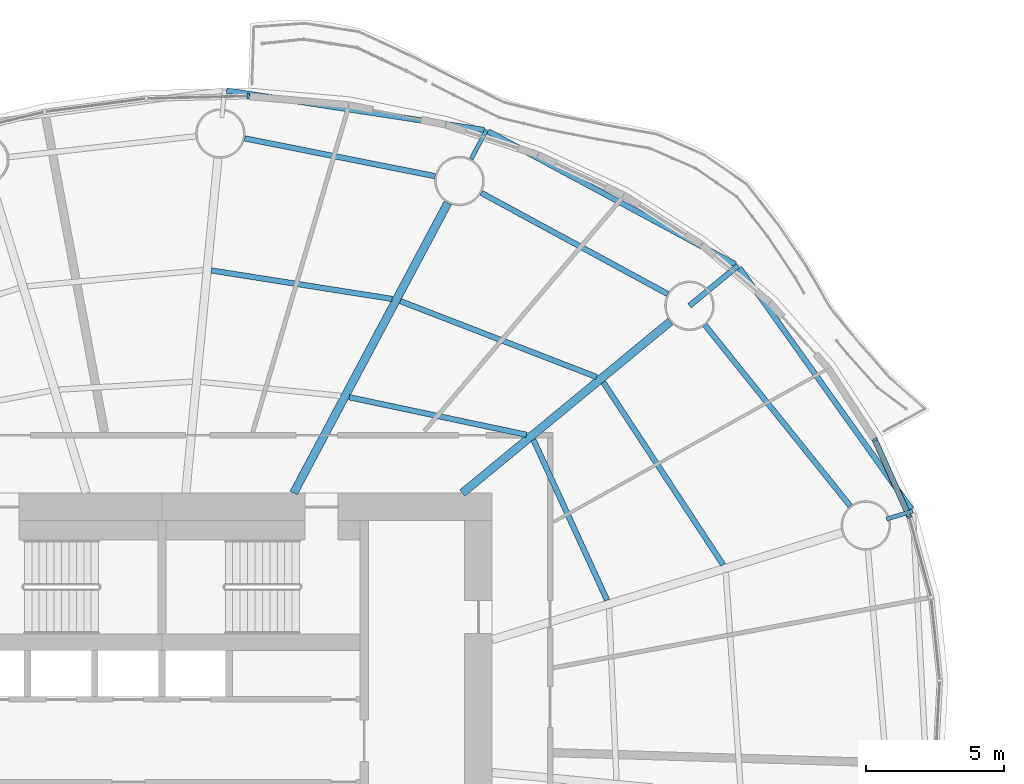
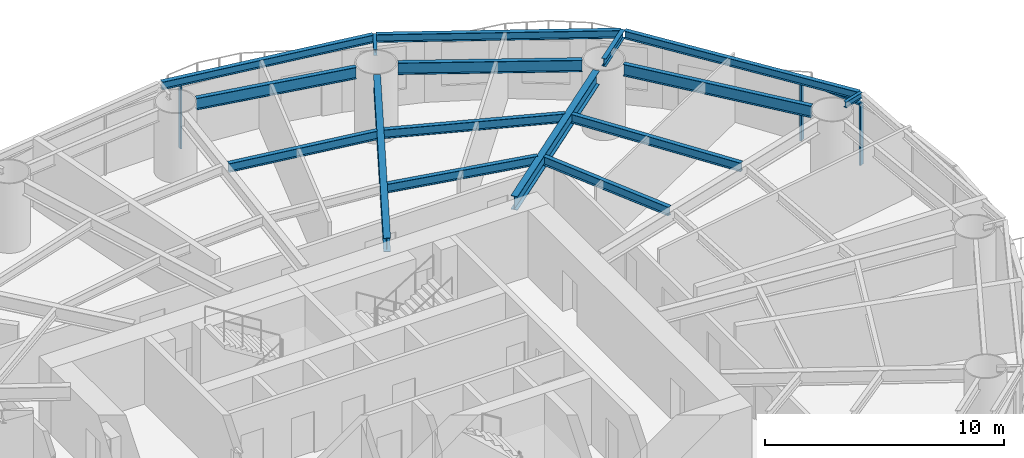
# One storey, part 6 of 17: 16 beams, 4 members, 2 elements without a shape of their own.
"""IFC4 building model written with IfcOpenShell, lengths in metres."""

from ifc_helpers import new_model, si_unit, direction, frame, origin, origin_2d, place, context, subcontext, project, spatial, rectangle, i_section, extrude, material, material_profile, profile_set, type_object, element, aggregate, save


model = new_model("IFC4")

# Units and contexts
model_context = context("Model", 3, precision=1e-05, world=origin(), true_north=direction((0.0, 1.0)))
body_context = subcontext(model_context, "Body", "Model", "MODEL_VIEW")
ifc_project = project(units=[si_unit("LENGTHUNIT", "METRE"), si_unit("AREAUNIT", "SQUARE_METRE"), si_unit("VOLUMEUNIT", "CUBIC_METRE"), si_unit("PLANEANGLEUNIT", "RADIAN"), si_unit("MASSUNIT", "GRAM", prefix="KILO")], contexts=[model_context])

# Site, building, storey
site_placement = place(None, origin())
site = spatial("IfcSite", under=ifc_project, at=site_placement, CompositionType="ELEMENT")
building_placement = place(site_placement, origin())
building = spatial("IfcBuilding", under=site, at=building_placement, Name="Vermilion Reach Broadcast Tower", CompositionType="ELEMENT")
storey_placement = place(building_placement, frame((0.0, 0.0, 76.699951171875)))
storey = spatial("IfcBuildingStorey", under=building, at=storey_placement, Name="L16", CompositionType="ELEMENT", Elevation=76.699951171875)

# Beams
ifc_material_1 = material(Name="Steel S355J2", Category="steel")
ifc_material_profile_1 = material_profile(ifc_material_1, i_section(OverallWidth=0.199951171875, OverallDepth=0.39990234375, WebThickness=0.008056640625, FlangeThickness=0.012939453125, at=origin_2d()), Name="S355J2 HN 400x200x8x13")
ifc_profile_set_1 = profile_set([ifc_material_profile_1], Name="Steel S355J2")
beam_type_1 = type_object("IfcBeamType", Name="EB1 HN 400x200x8x13", PredefinedType="BEAM", material=ifc_profile_set_1)
beam_1_placement = place(storey_placement, frame((21.235107421875, 8.41015625, 3.35009765625), z_axis=(-0.580429148402, 0.814310753758, 0.0), x_axis=(-0.814310753758, -0.580429148402, 0.0)))
element("IfcBeam", 1, at=beam_1_placement, inside=storey, type_object=beam_type_1, Name="Edge beam EB1-01", PredefinedType="BEAM", context=body_context, shape_type="SweptSolid", body=[
    extrude(i_section(OverallWidth=0.199951171875, OverallDepth=0.39990234375, WebThickness=0.008056640625, FlangeThickness=0.012939453125, at=origin_2d()), origin(), (0.0, 0.0, 1.0), 10.765380859375),
])
beam_2_placement = place(storey_placement, frame((14.833251953125, 17.309326171875, 3.35009765625), z_axis=(-0.880542580904, 0.473967048659, 0.0), x_axis=(-0.473967048659, -0.880542580904, 0.0)))
element("IfcBeam", 2, at=beam_2_placement, inside=storey, type_object=beam_type_1, Name="Edge beam EB1-02", PredefinedType="BEAM", context=body_context, shape_type="SweptSolid", body=[
    extrude(i_section(OverallWidth=0.199951171875, OverallDepth=0.39990234375, WebThickness=0.008056640625, FlangeThickness=0.012939453125, at=origin_2d()), origin(), (0.0, 0.0, 1.0), 10.197998046875),
])
beam_3_placement = place(storey_placement, frame((5.708984375, 22.1904296875, 3.35009765625), z_axis=(-0.988445180224, 0.151578777181, 0.0), x_axis=(-0.151578777181, -0.988445180224, 0.0)))
element("IfcBeam", 3, at=beam_3_placement, inside=storey, type_object=beam_type_1, Name="Edge beam EB1-03", PredefinedType="BEAM", context=body_context, shape_type="SweptSolid", body=[
    extrude(i_section(OverallWidth=0.199951171875, OverallDepth=0.39990234375, WebThickness=0.008056640625, FlangeThickness=0.012939453125, at=origin_2d()), origin(), (0.0, 0.0, 1.0), 9.47216796875),
])
ifc_material_2 = material(Name="Steel S355J2", Category="steel")
ifc_material_profile_2 = material_profile(ifc_material_2, i_section(OverallWidth=0.300048828125, OverallDepth=0.699951171875, WebThickness=0.012939453125, FlangeThickness=0.02392578125, at=origin_2d()), Name="S355J2 HN 700x300x13x24")
ifc_profile_set_2 = profile_set([ifc_material_profile_2], Name="Steel S355J2")
beam_type_2 = type_object("IfcBeamType", Name="G1 HN 700x300x13x24", PredefinedType="BEAM", material=ifc_profile_set_2)
beam_4_placement = place(storey_placement, frame((4.9140625, 9.0, 3.199951171875), z_axis=(0.771514256373, 0.636212034005, 0.0), x_axis=(-0.636212034005, 0.771514256373, 0.0)))
element("IfcBeam", 4, at=beam_4_placement, inside=storey, type_object=beam_type_2, Name="Girder G1-02", PredefinedType="BEAM", context=body_context, shape_type="SweptSolid", body=[
    extrude(i_section(OverallWidth=0.300048828125, OverallDepth=0.699951171875, WebThickness=0.012939453125, FlangeThickness=0.02392578125, at=origin_2d()), origin(), (0.0, 0.0, 1.0), 9.796142578125),
])
beam_5_placement = place(storey_placement, frame((-1.216552734375, 9.0, 3.199951171875), z_axis=(0.469312182262, 0.883032318537, 0.0), x_axis=(-0.883032318537, 0.469312182262, 0.0)))
element("IfcBeam", 5, at=beam_5_placement, inside=storey, type_object=beam_type_2, Name="Girder G1-03", PredefinedType="BEAM", context=body_context, shape_type="SweptSolid", body=[
    extrude(i_section(OverallWidth=0.300048828125, OverallDepth=0.699951171875, WebThickness=0.012939453125, FlangeThickness=0.02392578125, at=origin_2d()), origin(), (0.0, 0.0, 1.0), 11.94091796875),
])
ifc_material_3 = material(Name="Steel S355J2", Category="steel")
ifc_material_profile_3 = material_profile(ifc_material_3, i_section(OverallWidth=0.199951171875, OverallDepth=0.39990234375, WebThickness=0.008056640625, FlangeThickness=0.012939453125, at=origin_2d()), Name="S355J2 HN 400x200x8x13")
ifc_profile_set_3 = profile_set([ifc_material_profile_3], Name="Steel S355J2")
beam_type_3 = type_object("IfcBeamType", Name="GC1 HN 400x200x8x13", PredefinedType="BEAM", material=ifc_profile_set_3)
beam_6_placement = place(storey_placement, frame((13.166259765625, 15.804931640625, 3.35009765625), z_axis=(0.77147033335, 0.636265294324, 0.0), x_axis=(-0.636265294324, 0.77147033335, 0.0)))
element("IfcBeam", 6, at=beam_6_placement, inside=storey, type_object=beam_type_3, Name="Cantilever girder GC1-02", PredefinedType="BEAM", context=body_context, shape_type="SweptSolid", body=[
    extrude(i_section(OverallWidth=0.199951171875, OverallDepth=0.39990234375, WebThickness=0.008056640625, FlangeThickness=0.012939453125, at=origin_2d()), origin(), (0.0, 0.0, 1.0), 2.2841796875),
])
ifc_material_4 = material(Name="Steel S355J2", Category="steel")
ifc_material_profile_4 = material_profile(ifc_material_4, i_section(OverallWidth=0.14990234375, OverallDepth=0.300048828125, WebThickness=0.006591796875, FlangeThickness=0.009033203125, at=origin_2d()), Name="S355J2 HN 300x150x6.5x9")
ifc_profile_set_4 = profile_set([ifc_material_profile_4], Name="Steel S355J2")
beam_type_4 = type_object("IfcBeamType", Name="GS1 HN 300x150x6.5x9", PredefinedType="BEAM", material=ifc_profile_set_4)
beam_7_placement = place(storey_placement, frame((20.32470703125, 8.05322265625, 3.400146484375), z_axis=(0.956205533022, 0.292696051594, 0.0), x_axis=(-0.292696051594, 0.956205533022, 0.0)))
element("IfcBeam", 7, at=beam_7_placement, inside=storey, type_object=beam_type_4, Name="Cantilever stub GS1-01", PredefinedType="BEAM", context=body_context, shape_type="SweptSolid", body=[
    extrude(i_section(OverallWidth=0.14990234375, OverallDepth=0.300048828125, WebThickness=0.006591796875, FlangeThickness=0.009033203125, at=origin_2d()), origin(), (0.0, 0.0, 1.0), 1.0),
])
beam_8_placement = place(storey_placement, frame((5.232177734375, 21.1337890625, 3.400146484375), z_axis=(0.469441856903, 0.882963387116, 0.0), x_axis=(-0.882963387116, 0.469441856903, 0.0)))
element("IfcBeam", 8, at=beam_8_placement, inside=storey, type_object=beam_type_4, Name="Cantilever stub GS1-03", PredefinedType="BEAM", context=body_context, shape_type="SweptSolid", body=[
    extrude(i_section(OverallWidth=0.14990234375, OverallDepth=0.300048828125, WebThickness=0.006591796875, FlangeThickness=0.009033203125, at=origin_2d()), origin(), (0.0, 0.0, 1.0), 1.18310546875),
])
ifc_material_5 = material(Name="Steel S355J2", Category="steel")
ifc_material_profile_5 = material_profile(ifc_material_5, i_section(OverallWidth=0.199951171875, OverallDepth=0.60009765625, WebThickness=0.010986328125, FlangeThickness=0.01708984375, at=origin_2d()), Name="S355J2 HN 600x200x11x17")
ifc_profile_set_5 = profile_set([ifc_material_profile_5], Name="Steel S355J2")
beam_type_5 = type_object("IfcBeamType", Name="RB1 HN 600x200x11x17", PredefinedType="BEAM", material=ifc_profile_set_5)
beam_9_placement = place(storey_placement, frame((19.011962890625, 8.52587890625, 3.25), z_axis=(-0.626162157191, 0.779692858055, 0.0), x_axis=(-0.779692858055, -0.626162157191, 0.0)))
element("IfcBeam", 9, at=beam_9_placement, inside=storey, type_object=beam_type_5, Name="Ring beam RB1-01", PredefinedType="BEAM", context=body_context, shape_type="SweptSolid", body=[
    extrude(i_section(OverallWidth=0.199951171875, OverallDepth=0.60009765625, WebThickness=0.010986328125, FlangeThickness=0.01708984375, at=origin_2d()), origin(), (0.0, 0.0, 1.0), 8.435791015625),
])
beam_10_placement = place(storey_placement, frame((12.375244140625, 16.234130859375, 3.25), z_axis=(-0.878962319551, 0.476891225344, 0.0), x_axis=(-0.476891225344, -0.878962319551, 0.0)))
element("IfcBeam", 10, at=beam_10_placement, inside=storey, type_object=beam_type_5, Name="Ring beam RB1-02", PredefinedType="BEAM", context=body_context, shape_type="SweptSolid", body=[
    extrude(i_section(OverallWidth=0.199951171875, OverallDepth=0.60009765625, WebThickness=0.010986328125, FlangeThickness=0.01708984375, at=origin_2d()), origin(), (0.0, 0.0, 1.0), 7.707275390625),
])
beam_11_placement = place(storey_placement, frame((3.927001953125, 20.51416015625, 3.25), z_axis=(-0.980857717995, 0.194725799651, 0.0), x_axis=(-0.194725799651, -0.980857717995, 0.0)))
element("IfcBeam", 11, at=beam_11_placement, inside=storey, type_object=beam_type_5, Name="Ring beam RB1-03", PredefinedType="BEAM", context=body_context, shape_type="SweptSolid", body=[
    extrude(i_section(OverallWidth=0.199951171875, OverallDepth=0.60009765625, WebThickness=0.010986328125, FlangeThickness=0.01708984375, at=origin_2d()), origin(), (0.0, 0.0, 1.0), 7.05859375),
])
ifc_material_6 = material(Name="Steel S355J2", Category="steel")
ifc_material_profile_6 = material_profile(ifc_material_6, i_section(OverallWidth=0.199951171875, OverallDepth=0.449951171875, WebThickness=0.009033203125, FlangeThickness=0.013916015625, at=origin_2d()), Name="S355J2 HN 450x200x9x14")
ifc_profile_set_6 = profile_set([ifc_material_profile_6], Name="Steel S355J2")
beam_type_6 = type_object("IfcBeamType", Name="SB1 HN 450x200x9x14", PredefinedType="BEAM", material=ifc_profile_set_6)
beam_12_placement = place(storey_placement, frame((10.175048828125, 5.105224609375, 3.324951171875), z_axis=(-0.417211452529, 0.908809443106, 0.0), x_axis=(-0.908809443106, -0.417211452529, 0.0)))
element("IfcBeam", 12, at=beam_12_placement, inside=storey, type_object=beam_type_6, Name="Secondary beam SB1-01-1", PredefinedType="BEAM", context=body_context, shape_type="SweptSolid", body=[
    extrude(i_section(OverallWidth=0.199951171875, OverallDepth=0.449951171875, WebThickness=0.009033203125, FlangeThickness=0.013916015625, at=origin_2d()), origin(), (0.0, 0.0, 1.0), 6.41650390625),
])
beam_13_placement = place(storey_placement, frame((14.390625, 6.394775390625, 3.324951171875), z_axis=(-0.548800909102, 0.835953086105, 0.0), x_axis=(-0.835953086105, -0.548800909102, 0.0)))
element("IfcBeam", 13, at=beam_13_placement, inside=storey, type_object=beam_type_6, Name="Secondary beam SB1-01-2", PredefinedType="BEAM", context=body_context, shape_type="SweptSolid", body=[
    extrude(i_section(OverallWidth=0.199951171875, OverallDepth=0.449951171875, WebThickness=0.009033203125, FlangeThickness=0.013916015625, at=origin_2d()), origin(), (0.0, 0.0, 1.0), 7.935791015625),
])
beam_14_placement = place(storey_placement, frame((7.24560546875, 11.1171875, 3.324951171875), z_axis=(-0.978270372412, 0.207333254596, 0.0), x_axis=(-0.207333254596, -0.978270372412, 0.0)))
element("IfcBeam", 14, at=beam_14_placement, inside=storey, type_object=beam_type_6, Name="Secondary beam SB1-02-1", PredefinedType="BEAM", context=body_context, shape_type="SweptSolid", body=[
    extrude(i_section(OverallWidth=0.199951171875, OverallDepth=0.449951171875, WebThickness=0.009033203125, FlangeThickness=0.013916015625, at=origin_2d()), origin(), (0.0, 0.0, 1.0), 6.584716796875),
])
beam_15_placement = place(storey_placement, frame((9.7919921875, 13.217041015625, 3.324951171875), z_axis=(-0.932680743753, 0.360702966765, 0.0), x_axis=(-0.360702966765, -0.932680743753, 0.0)))
element("IfcBeam", 15, at=beam_15_placement, inside=storey, type_object=beam_type_6, Name="Secondary beam SB1-02-2", PredefinedType="BEAM", context=body_context, shape_type="SweptSolid", body=[
    extrude(i_section(OverallWidth=0.199951171875, OverallDepth=0.449951171875, WebThickness=0.009033203125, FlangeThickness=0.013916015625, at=origin_2d()), origin(), (0.0, 0.0, 1.0), 7.646240234375),
])
beam_16_placement = place(storey_placement, frame((2.36279296875, 16.05419921875, 3.324951171875), z_axis=(-0.987829548379, 0.155540294938, 0.0), x_axis=(-0.155540294938, -0.987829548379, 0.0)))
element("IfcBeam", 16, at=beam_16_placement, inside=storey, type_object=beam_type_6, Name="Secondary beam SB1-03-2", PredefinedType="BEAM", context=body_context, shape_type="SweptSolid", body=[
    extrude(i_section(OverallWidth=0.199951171875, OverallDepth=0.449951171875, WebThickness=0.009033203125, FlangeThickness=0.013916015625, at=origin_2d()), origin(), (0.0, 0.0, 1.0), 6.650634765625),
])

# Curtain wall, members
ifc_material_7 = material(Name="Low-e laminated clear glass in aluminium frame", Category="aluminium")
curtain_wall_type = type_object("IfcCurtainWallType", Name="Slot curtain wall", PredefinedType="NOTDEFINED", material=ifc_material_7)
placement = place(storey_placement, origin())
curtain_wall_1 = element("IfcCurtainWall", 17, at=placement, inside=storey, type_object=curtain_wall_type, Name="Slot curtain wall L16 01", PredefinedType="NOTDEFINED")
ifc_material_8 = material(Name="Anodised aluminium", Category="aluminium")
ifc_material_profile_7 = material_profile(ifc_material_8, rectangle(XDim=0.199951171875, YDim=0.080078125, at=origin_2d()), Name="Slot mullion 80 x 200")
ifc_profile_set_7 = profile_set([ifc_material_profile_7], Name="Anodised aluminium")
member_type_1 = type_object("IfcMemberType", Name="Slot mullion 80 x 200", PredefinedType="MULLION", material=ifc_profile_set_7)
member_1_placement = place(storey_placement, frame((21.156005859375, 8.139892578125, 0.0), z_axis=(0.0, 0.0, 1.0), x_axis=(-0.941653519483, -0.336583792308, 0.0)))
member_1 = element("IfcMember", 18, at=member_1_placement, type_object=member_type_1, Name="Slot mullion L16 01", PredefinedType="MULLION", context=body_context, shape_type="SweptSolid", body=[
    extrude(rectangle(XDim=0.199951171875, YDim=0.080078125, at=origin_2d()), origin(), (0.0, 0.0, 1.0), 3.150146484375),
])
member_2_placement = place(storey_placement, frame((19.901123046875, 10.931884765625, 0.0), z_axis=(0.0, 0.0, 1.0), x_axis=(-0.877703513206, -0.479204072297, 0.0)))
member_2 = element("IfcMember", 19, at=member_2_placement, type_object=member_type_1, Name="Slot mullion L16 02", PredefinedType="MULLION", context=body_context, shape_type="SweptSolid", body=[
    extrude(rectangle(XDim=0.199951171875, YDim=0.080078125, at=origin_2d()), origin(), (0.0, 0.0, 1.0), 3.150146484375),
])

# Curtain wall, member
curtain_wall_2 = element("IfcCurtainWall", 20, at=placement, inside=storey, type_object=curtain_wall_type, Name="Slot curtain wall L16 10", PredefinedType="NOTDEFINED")
member_3_placement = place(storey_placement, frame((-2.8671875, 23.418212890625, 0.0), z_axis=(0.0, 0.0, 1.0), x_axis=(-0.032126111888, -0.999483823248, 0.0)))
member_3 = element("IfcMember", 21, at=member_3_placement, type_object=member_type_1, Name="Slot mullion L16 10", PredefinedType="MULLION", context=body_context, shape_type="SweptSolid", body=[
    extrude(rectangle(XDim=0.199951171875, YDim=0.080078125, at=origin_2d()), origin(), (0.0, 0.0, 1.0), 3.150146484375),
])
aggregate(curtain_wall_2, [member_3])

# Member
ifc_material_9 = material(Name="Anodised aluminium", Category="aluminium")
ifc_material_profile_8 = material_profile(ifc_material_9, rectangle(XDim=0.199951171875, YDim=0.10009765625, at=origin_2d()), Name="Slot transom 200 x 100")
ifc_profile_set_8 = profile_set([ifc_material_profile_8], Name="Anodised aluminium")
member_type_2 = type_object("IfcMemberType", Name="Slot transom 200 x 100", PredefinedType="USERDEFINED", material=ifc_profile_set_8)
member_4_placement = place(storey_placement, frame((21.1396484375, 8.176513671875, 3.10009765625), z_axis=(-0.409979840833, 0.912094583972, 0.0), x_axis=(-0.912094583972, -0.409979840833, 0.0)))
member_4 = element("IfcMember", 22, at=member_4_placement, type_object=member_type_2, Name="Slot transom L16 01.1", ObjectType="TRANSOM", PredefinedType="USERDEFINED", context=body_context, shape_type="SweptSolid", body=[
    extrude(rectangle(XDim=0.199951171875, YDim=0.10009765625, at=origin_2d()), origin(), (0.0, 0.0, 1.0), 2.98095703125),
])

aggregate(curtain_wall_1, [member_1, member_2, member_4])

save(model, "model.ifc")
